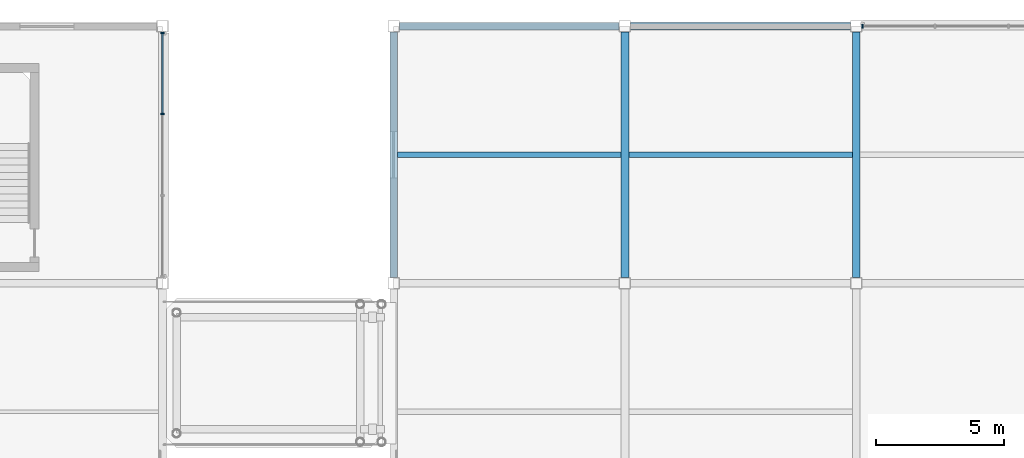
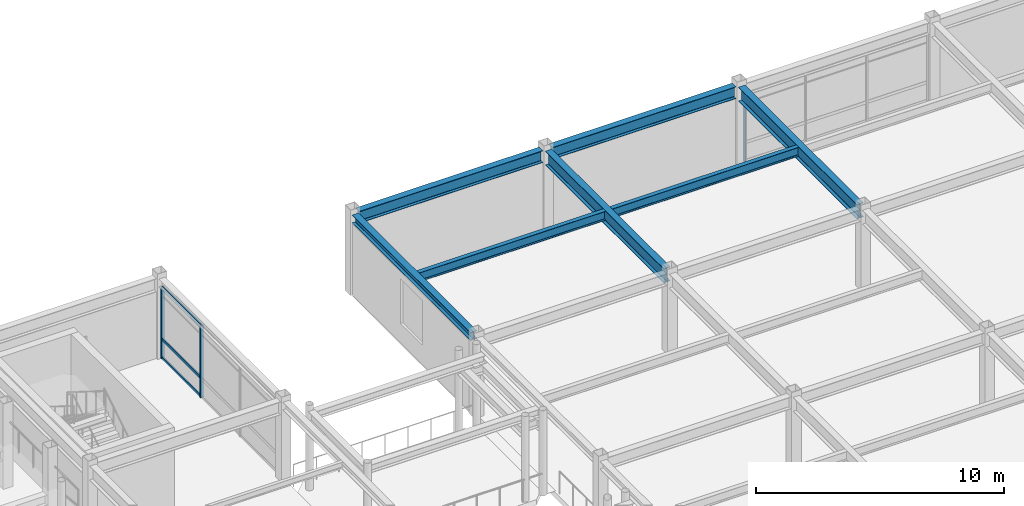
# One storey, part 39 of 105: 7 beams, 6 members, 2 elements without a shape of their own.
"""IFC4 building model written with IfcOpenShell, lengths in metres."""

from ifc_helpers import new_model, si_unit, direction, frame, origin, origin_2d, place, context, subcontext, project, spatial, rectangle, i_section, extrude, material, material_profile, profile_set, type_object, element, aggregate, save


model = new_model("IFC4")

# Units and contexts
model_context = context("Model", 3, precision=1e-05, world=origin(), true_north=direction((0.0, 1.0)))
body_context = subcontext(model_context, "Body", "Model", "MODEL_VIEW")
ifc_project = project(units=[si_unit("LENGTHUNIT", "METRE"), si_unit("AREAUNIT", "SQUARE_METRE"), si_unit("VOLUMEUNIT", "CUBIC_METRE"), si_unit("PLANEANGLEUNIT", "RADIAN"), si_unit("MASSUNIT", "GRAM", prefix="KILO")], contexts=[model_context])

# Site, building, storey
site_placement = place(None, origin())
site = spatial("IfcSite", under=ifc_project, at=site_placement, CompositionType="ELEMENT")
building_placement = place(site_placement, origin())
building = spatial("IfcBuilding", under=site, at=building_placement, Name="Suzunagisa Mobility Hub", CompositionType="ELEMENT")
storey_placement = place(building_placement, frame((0.0, 0.0, 5.10009765625)))
storey = spatial("IfcBuildingStorey", under=building, at=storey_placement, Name="L01", CompositionType="ELEMENT", Elevation=5.10009765625)

# Curtain wall, members
ifc_material_1 = material(Name="Thermally Broken Anodized Aluminum and Low-E Glazing", Category="aluminium")
curtain_wall_type_1 = type_object("IfcCurtainWallType", Name="Unitised Curtain Wall CW-03 9500x3600", PredefinedType="USERDEFINED", material=ifc_material_1)
curtain_wall_1_placement = place(storey_placement, origin())
curtain_wall_1 = element("IfcCurtainWall", 1, at=curtain_wall_1_placement, inside=storey, type_object=curtain_wall_type_1, Name="L01 Unitised Curtain Wall CW-57", ObjectType="UNITISED CURTAIN WALL", PredefinedType="USERDEFINED")
ifc_material_2 = material(Name="Anodized Aluminum 6063-T6", Category="aluminium")
ifc_material_profile_1 = material_profile(ifc_material_2, rectangle(XDim=0.06494140625, YDim=0.139892578125, at=origin_2d()), Name="TRAN-65x140")
ifc_profile_set_1 = profile_set([ifc_material_profile_1], Name="Anodized Aluminum 6063-T6")
member_type_1 = type_object("IfcMemberType", Name="Curtain Wall Framing CM-01 TRAN-65x140", PredefinedType="USERDEFINED", material=ifc_profile_set_1)
member_1_placement = place(storey_placement, frame((36.0, 114.61962890625, 0.032470703125), z_axis=(0.0, 1.0, 0.0), x_axis=(-1.0, 0.0, 0.0)))
member_1 = element("IfcMember", 2, at=member_1_placement, type_object=member_type_1, Name="Curtain Wall Transom 57-T3.1", ObjectType="TRANSOM", PredefinedType="USERDEFINED", context=body_context, shape_type="SweptSolid", body=[
    extrude(rectangle(XDim=0.06494140625, YDim=0.139892578125, at=origin_2d()), origin(), (0.0, 0.0, 1.0), 3.097412109375),
])
member_2_placement = place(storey_placement, frame((36.0, 114.61962890625, 0.949951171875), z_axis=(0.0, 1.0, 0.0), x_axis=(-1.0, 0.0, 0.0)))
member_2 = element("IfcMember", 3, at=member_2_placement, type_object=member_type_1, Name="Curtain Wall Transom 57-T3.2", ObjectType="TRANSOM", PredefinedType="USERDEFINED", context=body_context, shape_type="SweptSolid", body=[
    extrude(rectangle(XDim=0.06494140625, YDim=0.139892578125, at=origin_2d()), origin(), (0.0, 0.0, 1.0), 3.097412109375),
])
member_3_placement = place(storey_placement, frame((36.0, 114.61962890625, 3.517333984375), z_axis=(0.0, 1.0, 0.0), x_axis=(-1.0, 0.0, 0.0)))
member_3 = element("IfcMember", 4, at=member_3_placement, type_object=member_type_1, Name="Curtain Wall Transom 57-T3.3", ObjectType="TRANSOM", PredefinedType="USERDEFINED", context=body_context, shape_type="SweptSolid", body=[
    extrude(rectangle(XDim=0.06494140625, YDim=0.139892578125, at=origin_2d()), origin(), (0.0, 0.0, 1.0), 3.097412109375),
])
ifc_material_profile_2 = material_profile(ifc_material_2, rectangle(XDim=0.06005859375, YDim=0.14990234375, at=origin_2d()), Name="MULL-60x150")
ifc_profile_set_2 = profile_set([ifc_material_profile_2], Name="Anodized Aluminum 6063-T6")
member_type_2 = type_object("IfcMemberType", Name="Curtain Wall Framing CM-03 MULL-60x150", PredefinedType="MULLION", material=ifc_profile_set_2)
member_4_placement = place(storey_placement, frame((36.0, 114.591796875, 0.0), z_axis=(0.0, 0.0, 1.0), x_axis=(0.0, 1.0, 0.0)))
member_4 = element("IfcMember", 5, at=member_4_placement, type_object=member_type_2, Name="Curtain Wall Mullion 57-M3", PredefinedType="MULLION", context=body_context, shape_type="SweptSolid", body=[
    extrude(rectangle(XDim=0.06005859375, YDim=0.14990234375, at=origin_2d()), origin(), (0.0, 0.0, 1.0), 3.5498046875),
])
member_5_placement = place(storey_placement, frame((36.0, 117.7451171875, 0.0), z_axis=(0.0, 0.0, 1.0), x_axis=(0.0, 1.0, 0.0)))
member_5 = element("IfcMember", 6, at=member_5_placement, type_object=member_type_2, Name="Curtain Wall Mullion 57-M4", PredefinedType="MULLION", context=body_context, shape_type="SweptSolid", body=[
    extrude(rectangle(XDim=0.06005859375, YDim=0.14990234375, at=origin_2d()), origin(), (0.0, 0.0, 1.0), 3.5498046875),
])
aggregate(curtain_wall_1, [member_4, member_5, member_1, member_2, member_3])

# Curtain wall, member
curtain_wall_type_2 = type_object("IfcCurtainWallType", Name="Unitised Curtain Wall CW-29 8500x3400", PredefinedType="USERDEFINED", material=ifc_material_1)
curtain_wall_2_placement = place(storey_placement, origin())
curtain_wall_2 = element("IfcCurtainWall", 7, at=curtain_wall_2_placement, inside=storey, type_object=curtain_wall_type_2, Name="L01 Unitised Curtain Wall CW-108", ObjectType="UNITISED CURTAIN WALL", PredefinedType="USERDEFINED")
member_6_placement = place(storey_placement, frame((63.2548828125, 118.0, 0.0), z_axis=(0.0, 0.0, 1.0), x_axis=(-1.0, 0.0, 0.0)))
member_6 = element("IfcMember", 8, at=member_6_placement, type_object=member_type_2, Name="Curtain Wall Mullion 108-M4", PredefinedType="MULLION", context=body_context, shape_type="SweptSolid", body=[
    extrude(rectangle(XDim=0.06005859375, YDim=0.14990234375, at=origin_2d()), origin(), (0.0, 0.0, 1.0), 3.351806640625),
])
aggregate(curtain_wall_2, [member_6])

# Beams
ifc_material_3 = material(Name="Steel SN400B", Category="steel")
ifc_material_profile_3 = material_profile(ifc_material_3, i_section(OverallWidth=0.199951171875, OverallDepth=0.449951171875, WebThickness=0.009033203125, FlangeThickness=0.013916015625, FilletRadius=0.012939453125, at=origin_2d()), Name="H-450x200x9x14")
ifc_profile_set_3 = profile_set([ifc_material_profile_3], Name="Steel SN400B")
beam_type_1 = type_object("IfcBeamType", Name="Steel Beam BM-05 H-450x200x9x14", PredefinedType="JOIST", material=ifc_profile_set_3)
for number, where, z_axis, x_axis, name in (
    (9, (45.14990234375, 113.0, 3.71484375), (1.0, 0.0, 0.0), (0.0, 1.0, 0.0), "L01 Composite Floor Joist J-889"),
    (10, (54.14990234375, 113.0, 3.71484375), (1.0, 0.0, 0.0), (0.0, 1.0, 0.0), "L01 Composite Floor Joist J-892"),
):
    element("IfcBeam", number, at=place(storey_placement, frame(where, z_axis=z_axis, x_axis=x_axis)), inside=storey, type_object=beam_type_1, Name=name, PredefinedType="JOIST", context=body_context, shape_type="SweptSolid", body=[
        extrude(i_section(OverallWidth=0.199951171875, OverallDepth=0.449951171875, WebThickness=0.009033203125, FlangeThickness=0.013916015625, FilletRadius=0.012939453125, at=origin_2d()), origin(), (0.0, 0.0, 1.0), 8.7001953125),
    ])
ifc_material_4 = material(Name="Steel SN490B", Category="steel")
ifc_material_profile_4 = material_profile(ifc_material_4, i_section(OverallWidth=0.300048828125, OverallDepth=0.699951171875, WebThickness=0.012939453125, FlangeThickness=0.02392578125, FilletRadius=0.01806640625, at=origin_2d()), Name="H-700x300x13x24")
ifc_profile_set_4 = profile_set([ifc_material_profile_4], Name="Steel SN490B")
beam_type_2 = type_object("IfcBeamType", Name="Steel Beam BM-11 H-700x300x13x24", PredefinedType="BEAM", material=ifc_profile_set_4)
for number, where, z_axis, x_axis, name in (
    (11, (54.0, 108.220947265625, 3.58984375), (0.0, 1.0, 0.0), (-1.0, 0.0, 0.0), "L01 Primary Girder GY-853"),
    (12, (63.0, 108.220947265625, 3.58984375), (0.0, 1.0, 0.0), (-1.0, 0.0, 0.0), "L01 Primary Girder GY-857"),
):
    element("IfcBeam", number, at=place(storey_placement, frame(where, z_axis=z_axis, x_axis=x_axis)), inside=storey, type_object=beam_type_2, Name=name, PredefinedType="BEAM", context=body_context, shape_type="SweptSolid", body=[
        extrude(i_section(OverallWidth=0.300048828125, OverallDepth=0.699951171875, WebThickness=0.012939453125, FlangeThickness=0.02392578125, FilletRadius=0.01806640625, at=origin_2d()), origin(), (0.0, 0.0, 1.0), 9.55810546875),
    ])
ifc_material_profile_5 = material_profile(ifc_material_4, i_section(OverallWidth=0.300048828125, OverallDepth=0.389892578125, WebThickness=0.010009765625, FlangeThickness=0.01611328125, FilletRadius=0.012939453125, at=origin_2d()), Name="H-390x300x10x16")
ifc_profile_set_5 = profile_set([ifc_material_profile_5], Name="Steel SN490B")
beam_type_3 = type_object("IfcBeamType", Name="Steel Beam BM-13 H-390x300x10x16", PredefinedType="SPANDREL", material=ifc_profile_set_5)
beam_placement = place(storey_placement, frame((45.0, 108.220947265625, 3.744873046875), z_axis=(0.0, 1.0, 0.0), x_axis=(-1.0, 0.0, 0.0)))
element("IfcBeam", 13, at=beam_placement, inside=storey, type_object=beam_type_3, Name="L01 Primary Girder GY-849", PredefinedType="SPANDREL", context=body_context, shape_type="SweptSolid", body=[
    extrude(i_section(OverallWidth=0.300048828125, OverallDepth=0.389892578125, WebThickness=0.010009765625, FlangeThickness=0.01611328125, FilletRadius=0.012939453125, at=origin_2d()), origin(), (0.0, 0.0, 1.0), 9.55810546875),
])
ifc_material_profile_6 = material_profile(ifc_material_4, i_section(OverallWidth=0.300048828125, OverallDepth=0.587890625, WebThickness=0.011962890625, FlangeThickness=0.02001953125, FilletRadius=0.012939453125, at=origin_2d()), Name="H-588x300x12x20")
ifc_profile_set_6 = profile_set([ifc_material_profile_6], Name="Steel SN490B")
beam_type_4 = type_object("IfcBeamType", Name="Steel Beam BM-16 H-588x300x12x20", PredefinedType="BEAM", material=ifc_profile_set_6)
for number, where, z_axis, x_axis, name in (
    (14, (45.220947265625, 118.0, 3.64599609375), (1.0, 0.0, 0.0), (0.0, 1.0, 0.0), "L01 Primary Girder GX-838"),
    (15, (54.220947265625, 118.0, 3.64599609375), (1.0, 0.0, 0.0), (0.0, 1.0, 0.0), "L01 Primary Girder GX-839"),
):
    element("IfcBeam", number, at=place(storey_placement, frame(where, z_axis=z_axis, x_axis=x_axis)), inside=storey, type_object=beam_type_4, Name=name, PredefinedType="BEAM", context=body_context, shape_type="SweptSolid", body=[
        extrude(i_section(OverallWidth=0.300048828125, OverallDepth=0.587890625, WebThickness=0.011962890625, FlangeThickness=0.02001953125, FilletRadius=0.012939453125, at=origin_2d()), origin(), (0.0, 0.0, 1.0), 8.55810546875),
    ])

save(model, "model.ifc")
